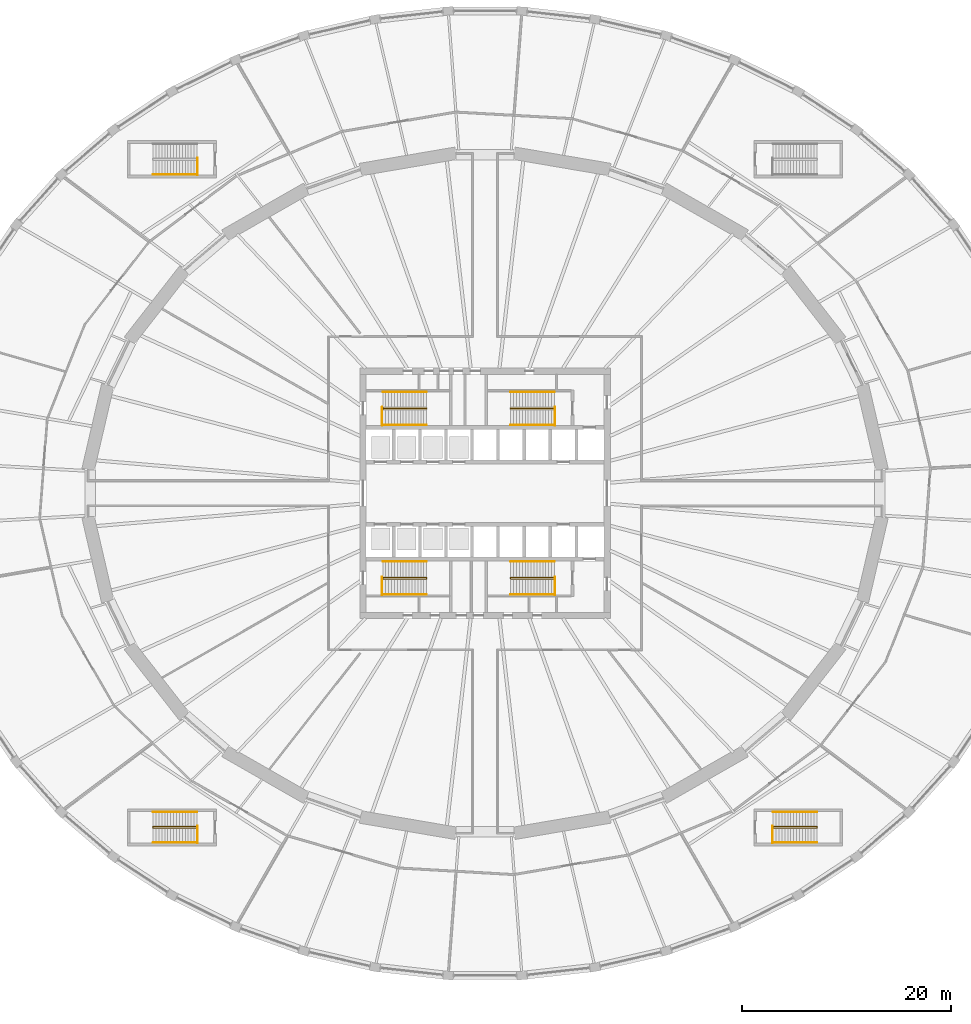
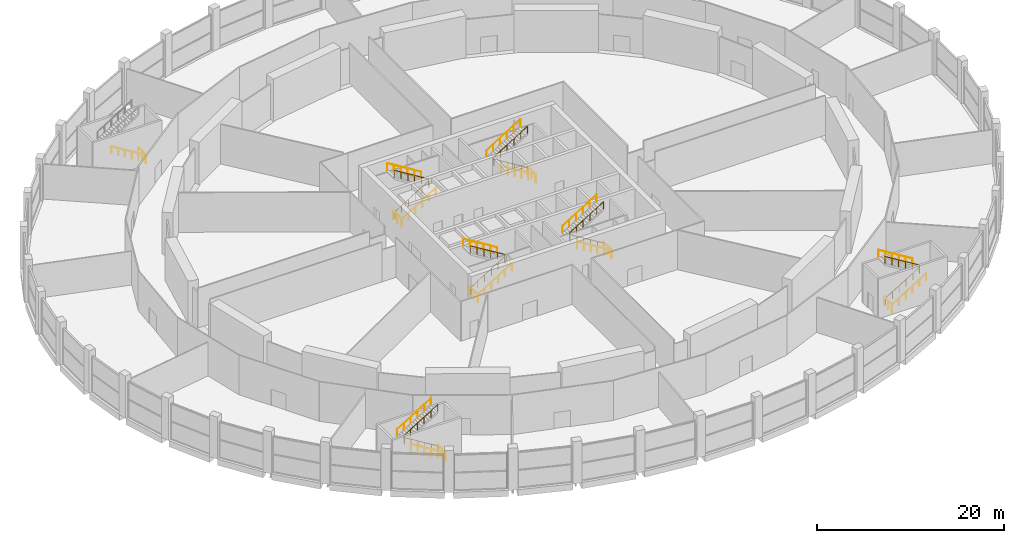
# One storey, part 27 of 29: 26 railings.
"""IFC4 building model written with IfcOpenShell, lengths in metres."""

import ifcopenshell
import ifcopenshell.guid

model = None  # the IFC model being written
_history = None  # IfcOwnerHistory: only IFC2X3 demands one
_inside = {}  # id of a spatial element -> (the spatial element, [elements in it])
_under = {}  # id of a project, library or spatial element -> (it, [spatial elements below it])
_declared = {}  # id of a project -> (the project, [libraries it declares])
_typed = {}  # id of a type object -> (the type object, [elements of that type])
_made_of = {}  # id of a material, layer set ... -> (it, [elements and type objects made of it])


def new_model(schema):
    """Start an empty IFC model of exactly this schema.

    Asked for "IFC4X3", IfcOpenShell would pick the latest addendum, in which some entities
    have other attributes; the version numbers below select the first issue.
    IFC2X3 requires an IfcOwnerHistory on every rooted entity: one is made here for all.
    """
    global model, _history
    if schema == "IFC4X3":
        model = ifcopenshell.file(schema_version=(4, 3, 0, 0))
    else:
        model = ifcopenshell.file(schema=schema)
    _inside.clear()
    _under.clear()
    _declared.clear()
    _typed.clear()
    _made_of.clear()
    _history = None
    if model.schema == "IFC2X3":
        org = make("IfcOrganization", Name="unknown")
        user = make(
            "IfcPersonAndOrganization",
            ThePerson=make("IfcPerson", FamilyName="unknown"),
            TheOrganization=org,
        )
        app = make(
            "IfcApplication",
            ApplicationDeveloper=org,
            Version="unknown",
            ApplicationFullName="unknown",
            ApplicationIdentifier="unknown",
        )
        _history = make(
            "IfcOwnerHistory",
            OwningUser=user,
            OwningApplication=app,
            ChangeAction="ADDED",
            CreationDate=0,
        )
    return model


def make(cls, **values):
    """One entity of the class cls with the attributes given. An attribute that is None is left unset."""
    return model.create_entity(
        cls, **{name: value for name, value in values.items() if value is not None}
    )


def rooted(cls, **values):
    """An entity with a GlobalId (a new one), such as an element, a storey or a relation."""
    return make(cls, GlobalId=ifcopenshell.guid.new(), OwnerHistory=_history, **values)


def si_unit(unit_type, name, prefix=None):
    """IfcSIUnit, for example si_unit("LENGTHUNIT", "METRE", prefix="MILLI")."""
    return make("IfcSIUnit", UnitType=unit_type, Prefix=prefix, Name=name)


def assignment(units):
    """IfcUnitAssignment: the units of a project."""
    return None if units is None else make("IfcUnitAssignment", Units=units)


def point(xyz):
    """IfcCartesianPoint."""
    return None if xyz is None else make("IfcCartesianPoint", Coordinates=xyz)


def direction(xyz):
    """IfcDirection."""
    return None if xyz is None else make("IfcDirection", DirectionRatios=xyz)


def frame(location, z_axis=None, x_axis=None):
    """IfcAxis2Placement3D, a coordinate frame: its origin and axes. An axis left out is left unset."""
    return make(
        "IfcAxis2Placement3D",
        Location=point(location),
        Axis=direction(z_axis),
        RefDirection=direction(x_axis),
    )


def frame_2d(location, x_axis=None):
    """IfcAxis2Placement2D, a coordinate frame in the plane: its origin and x axis."""
    return make(
        "IfcAxis2Placement2D", Location=point(location), RefDirection=direction(x_axis)
    )


def origin():
    """The frame at (0, 0, 0) with its axes left unset."""
    return frame((0.0, 0.0, 0.0))


def origin_2d():
    """The frame at (0, 0) in the plane with its x axis left unset."""
    return frame_2d((0.0, 0.0))


def place(relative_to, where):
    """IfcLocalPlacement: puts the frame where relative to a parent placement (None: the world)."""
    return make(
        "IfcLocalPlacement", PlacementRelTo=relative_to, RelativePlacement=where
    )


def context(
    kind, dimensions, precision=None, world=None, true_north=None, identifier=None
):
    """IfcGeometricRepresentationContext, for example the 3D "Model" context."""
    return make(
        "IfcGeometricRepresentationContext",
        ContextIdentifier=identifier,
        ContextType=kind,
        CoordinateSpaceDimension=dimensions,
        Precision=precision,
        WorldCoordinateSystem=world,
        TrueNorth=true_north,
    )


def subcontext(parent, identifier, kind, view, scale=None):
    """IfcGeometricRepresentationSubContext, for example "Body" below "Model"."""
    return make(
        "IfcGeometricRepresentationSubContext",
        ContextIdentifier=identifier,
        ContextType=kind,
        ParentContext=parent,
        TargetScale=scale,
        TargetView=view,
    )


def project(units=None, contexts=None):
    """IfcProject with its units and contexts."""
    return rooted(
        "IfcProject",
        Name="project",
        RepresentationContexts=contexts,
        UnitsInContext=assignment(units),
    )


def spatial(cls, under=None, at=None, **own):
    """A site, building, storey or space (cls), placed at a placement, below another one or the project."""
    s = rooted(cls, ObjectPlacement=at, **own)
    if under is not None:
        _under.setdefault(under.id(), (under, []))[1].append(s)
    return s


def profile(cls, at=None, kind="AREA", **sizes):
    """A parametric profile (cls). Its sizes go by their IFC names, for example OverallWidth=200.0."""
    return make(cls, ProfileType=kind, Position=at, **sizes)


def circle(**sizes):
    """IfcCircleProfileDef."""
    return profile("IfcCircleProfileDef", **sizes)


def extrude(swept, where, along, depth):
    """IfcExtrudedAreaSolid: the profile swept, set in the frame where, extruded along a direction by depth."""
    return make(
        "IfcExtrudedAreaSolid",
        SweptArea=swept,
        Position=where,
        ExtrudedDirection=direction(along),
        Depth=depth,
    )


def shape(context_of_items, identifier, shape_type, items):
    """IfcShapeRepresentation: the items that make up one representation, for example the "Body"."""
    return make(
        "IfcShapeRepresentation",
        ContextOfItems=context_of_items,
        RepresentationIdentifier=identifier,
        RepresentationType=shape_type,
        Items=items,
    )


def material(Name=None, Category=None):
    """IfcMaterial."""
    return make("IfcMaterial", Name=Name, Category=Category)


def made_of(thing, what):
    """Note that an element or type object is made of a material, layer set ...; save() writes the relation."""
    if what is not None:
        _made_of.setdefault(what.id(), (what, []))[1].append(thing)
    return thing


def type_object(cls, material=None, **own):
    """A type object (cls), such as IfcWallType, which elements share."""
    return made_of(rooted(cls, **own), material)


def element(
    cls,
    number,
    at=None,
    inside=None,
    cuts=None,
    type_object=None,
    material=None,
    context=None,
    identifier="Body",
    shape_type=None,
    held_by="IfcProductDefinitionShape",
    body=None,
    shapes=None,
    **own,
):
    """One element of the class cls, such as IfcWall. Its Tag is "e" and its number.

    at: its placement. inside: the storey or other place that contains it. cuts: it is an
    opening in that element (IfcRelVoidsElement). A single representation is given by context,
    identifier, shape_type and body (its items); several are given by shapes. held_by: the class
    of the entity that holds the representations. save() writes the other relations.
    """
    e = rooted(cls, Tag="e%d" % number, ObjectPlacement=at, **own)
    if body is not None:
        shapes = [shape(context, identifier, shape_type, body)]
    if shapes is not None:
        e.Representation = make(held_by, Representations=shapes)
    if inside is not None:
        _inside.setdefault(inside.id(), (inside, []))[1].append(e)
    if cuts is not None:
        rooted(
            "IfcRelVoidsElement", RelatingBuildingElement=cuts, RelatedOpeningElement=e
        )
    if type_object is not None:
        _typed.setdefault(type_object.id(), (type_object, []))[1].append(e)
    return made_of(e, material)


def aggregate(whole, parts):
    """IfcRelAggregates: a whole, such as a stair, and the parts it consists of."""
    return rooted("IfcRelAggregates", RelatingObject=whole, RelatedObjects=parts)


def save(model, path):
    """Write the relations noted so far, then the file.

    IfcRelAggregates (storeys below a building ...), IfcRelContainedInSpatialStructure (elements
    in a storey), IfcRelDefinesByType, IfcRelAssociatesMaterial and IfcRelDeclares: one each for
    every whole, place, type object, material and project.
    """
    for whole, parts in _under.values():
        aggregate(whole, parts)
    for where, things in _inside.values():
        rooted(
            "IfcRelContainedInSpatialStructure",
            RelatedElements=things,
            RelatingStructure=where,
        )
    for kind, things in _typed.values():
        rooted("IfcRelDefinesByType", RelatedObjects=things, RelatingType=kind)
    for what, things in _made_of.values():
        rooted("IfcRelAssociatesMaterial", RelatedObjects=things, RelatingMaterial=what)
    for by, libraries in _declared.values():
        rooted("IfcRelDeclares", RelatingContext=by, RelatedDefinitions=libraries)
    model.write(path)


model = new_model("IFC4")

# Units and contexts
model_context = context("Model", 3, precision=1e-05, world=origin(), true_north=direction((0.0, 1.0)))
body_context = subcontext(model_context, "Body", "Model", "MODEL_VIEW")
ifc_project = project(units=[si_unit("LENGTHUNIT", "METRE"), si_unit("AREAUNIT", "SQUARE_METRE"), si_unit("VOLUMEUNIT", "CUBIC_METRE"), si_unit("PLANEANGLEUNIT", "RADIAN"), si_unit("MASSUNIT", "GRAM", prefix="KILO")], contexts=[model_context])

# Site, building, storey
site_placement = place(None, origin())
site = spatial("IfcSite", under=ifc_project, at=site_placement, CompositionType="ELEMENT")
building_placement = place(site_placement, origin())
building = spatial("IfcBuilding", under=site, at=building_placement, Name="Halqa Exchange Tower", CompositionType="ELEMENT")
storey_placement = place(building_placement, frame((0.0, 0.0, 7.0)))
storey = spatial("IfcBuildingStorey", under=building, at=storey_placement, Name="L01", CompositionType="ELEMENT", Elevation=7.0)

# Railings
ifc_material = material(Name="Stainless steel", Category="steel")
railing_type_1 = type_object("IfcRailingType", Name="Stair handrail 900", PredefinedType="HANDRAIL", material=ifc_material)
railing_1_placement = place(storey_placement, frame((-9.800048828125, 8.06005859375, 0.171875)))
element("IfcRailing", 1, at=railing_1_placement, inside=storey, type_object=railing_type_1, Name="Handrail ST1.1", PredefinedType="HANDRAIL", context=body_context, shape_type="SweptSolid", body=[
    extrude(circle(Radius=0.02392578125, at=origin_2d()), frame((0.0, 0.0, 0.8759765625), z_axis=(0.852242915053, 0.0, 0.523146264196), x_axis=(0.0, 1.0, 0.0)), (0.0, 0.0, 1.0), 4.92822265625),
    extrude(circle(Radius=0.02392578125, at=origin_2d()), frame((4.199951171875, 0.0, 3.4541015625), z_axis=(0.0, 0.602897214173, 0.797818869883), x_axis=(-1.0, 0.0, 0.0)), (0.0, 0.0, 1.0), 0.21533203125),
    extrude(circle(Radius=0.02392578125, at=origin_2d()), frame((4.199951171875, 0.1298828125, 3.6259765625), z_axis=(-0.852242915053, 0.0, 0.523146264196), x_axis=(0.0, -1.0, 0.0)), (0.0, 0.0, 1.0), 4.92822265625),
    extrude(circle(Radius=0.02099609375, at=origin_2d()), origin(), (0.0, 0.0, 1.0), 0.851806640625),
    extrude(circle(Radius=0.02099609375, at=origin_2d()), frame((0.840087890625, 0.0, 0.515625)), (0.0, 0.0, 1.0), 0.851806640625),
    extrude(circle(Radius=0.02099609375, at=origin_2d()), frame((1.679931640625, 0.0, 1.03125)), (0.0, 0.0, 1.0), 0.851806640625),
    extrude(circle(Radius=0.02099609375, at=origin_2d()), frame((2.52001953125, 0.0, 1.546875)), (0.0, 0.0, 1.0), 0.851806640625),
    extrude(circle(Radius=0.02099609375, at=origin_2d()), frame((3.35986328125, 0.0, 2.0625)), (0.0, 0.0, 1.0), 0.851806640625),
    extrude(circle(Radius=0.02099609375, at=origin_2d()), frame((4.199951171875, 0.0, 2.578125)), (0.0, 0.0, 1.0), 0.851806640625),
    extrude(circle(Radius=0.02099609375, at=origin_2d()), frame((4.199951171875, 0.1298828125, 2.75)), (0.0, 0.0, 1.0), 0.851806640625),
    extrude(circle(Radius=0.02099609375, at=origin_2d()), frame((3.35986328125, 0.1298828125, 3.265625)), (0.0, 0.0, 1.0), 0.851806640625),
    extrude(circle(Radius=0.02099609375, at=origin_2d()), frame((2.52001953125, 0.1298828125, 3.78125)), (0.0, 0.0, 1.0), 0.851806640625),
    extrude(circle(Radius=0.02099609375, at=origin_2d()), frame((1.679931640625, 0.1298828125, 4.296875)), (0.0, 0.0, 1.0), 0.851806640625),
    extrude(circle(Radius=0.02099609375, at=origin_2d()), frame((0.840087890625, 0.1298828125, 4.8125)), (0.0, 0.0, 1.0), 0.851806640625),
    extrude(circle(Radius=0.02099609375, at=origin_2d()), frame((0.0, 0.1298828125, 5.328125)), (0.0, 0.0, 1.0), 0.851806640625),
])
railing_2_placement = place(storey_placement, frame((-9.800048828125, 6.550048828125, 0.171875)))
element("IfcRailing", 2, at=railing_2_placement, inside=storey, type_object=railing_type_1, Name="Handrail ST1.2", PredefinedType="HANDRAIL", context=body_context, shape_type="SweptSolid", body=[
    extrude(circle(Radius=0.02392578125, at=origin_2d()), frame((0.0, 0.0, 0.8759765625), z_axis=(0.852242915053, 0.0, 0.523146264196), x_axis=(0.0, 1.0, 0.0)), (0.0, 0.0, 1.0), 4.92822265625),
    extrude(circle(Radius=0.02099609375, at=origin_2d()), origin(), (0.0, 0.0, 1.0), 0.851806640625),
    extrude(circle(Radius=0.02099609375, at=origin_2d()), frame((0.840087890625, 0.0, 0.515625)), (0.0, 0.0, 1.0), 0.851806640625),
    extrude(circle(Radius=0.02099609375, at=origin_2d()), frame((1.679931640625, 0.0, 1.03125)), (0.0, 0.0, 1.0), 0.851806640625),
    extrude(circle(Radius=0.02099609375, at=origin_2d()), frame((2.52001953125, 0.0, 1.546875)), (0.0, 0.0, 1.0), 0.851806640625),
    extrude(circle(Radius=0.02099609375, at=origin_2d()), frame((3.35986328125, 0.0, 2.0625)), (0.0, 0.0, 1.0), 0.851806640625),
    extrude(circle(Radius=0.02099609375, at=origin_2d()), frame((4.199951171875, 0.0, 2.578125)), (0.0, 0.0, 1.0), 0.851806640625),
])
railing_3_placement = place(storey_placement, frame((-5.60009765625, 9.699951171875, 2.921875)))
element("IfcRailing", 3, at=railing_3_placement, inside=storey, type_object=railing_type_1, Name="Handrail ST1.3", PredefinedType="HANDRAIL", context=body_context, shape_type="SweptSolid", body=[
    extrude(circle(Radius=0.02392578125, at=origin_2d()), frame((0.0, 0.0, 0.8759765625), z_axis=(-0.852242915053, 0.0, 0.523146264196), x_axis=(0.0, -1.0, 0.0)), (0.0, 0.0, 1.0), 4.92822265625),
    extrude(circle(Radius=0.02099609375, at=origin_2d()), origin(), (0.0, 0.0, 1.0), 0.851806640625),
    extrude(circle(Radius=0.02099609375, at=origin_2d()), frame((-0.840087890625, 0.0, 0.515625)), (0.0, 0.0, 1.0), 0.851806640625),
    extrude(circle(Radius=0.02099609375, at=origin_2d()), frame((-1.679931640625, 0.0, 1.03125)), (0.0, 0.0, 1.0), 0.851806640625),
    extrude(circle(Radius=0.02099609375, at=origin_2d()), frame((-2.52001953125, 0.0, 1.546875)), (0.0, 0.0, 1.0), 0.851806640625),
    extrude(circle(Radius=0.02099609375, at=origin_2d()), frame((-3.35986328125, 0.0, 2.0625)), (0.0, 0.0, 1.0), 0.851806640625),
    extrude(circle(Radius=0.02099609375, at=origin_2d()), frame((-4.199951171875, 0.0, 2.578125)), (0.0, 0.0, 1.0), 0.851806640625),
])
railing_4_placement = place(storey_placement, frame((6.64990234375, 8.06005859375, 0.171875)))
element("IfcRailing", 4, at=railing_4_placement, inside=storey, type_object=railing_type_1, Name="Handrail ST2.1", PredefinedType="HANDRAIL", context=body_context, shape_type="SweptSolid", body=[
    extrude(circle(Radius=0.02392578125, at=origin_2d()), frame((0.0, 0.0, 0.8759765625), z_axis=(-0.852242915053, 0.0, 0.523146264196), x_axis=(0.0, -1.0, 0.0)), (0.0, 0.0, 1.0), 4.92822265625),
    extrude(circle(Radius=0.02392578125, at=origin_2d()), frame((-4.199951171875, 0.0, 3.4541015625), z_axis=(0.0, 0.602897214173, 0.797818869883), x_axis=(-1.0, 0.0, 0.0)), (0.0, 0.0, 1.0), 0.21533203125),
    extrude(circle(Radius=0.02392578125, at=origin_2d()), frame((-4.199951171875, 0.1298828125, 3.6259765625), z_axis=(0.852242915053, 0.0, 0.523146264196), x_axis=(0.0, 1.0, 0.0)), (0.0, 0.0, 1.0), 4.92822265625),
    extrude(circle(Radius=0.02099609375, at=origin_2d()), origin(), (0.0, 0.0, 1.0), 0.851806640625),
    extrude(circle(Radius=0.02099609375, at=origin_2d()), frame((-0.840087890625, 0.0, 0.515625)), (0.0, 0.0, 1.0), 0.851806640625),
    extrude(circle(Radius=0.02099609375, at=origin_2d()), frame((-1.679931640625, 0.0, 1.03125)), (0.0, 0.0, 1.0), 0.851806640625),
    extrude(circle(Radius=0.02099609375, at=origin_2d()), frame((-2.52001953125, 0.0, 1.546875)), (0.0, 0.0, 1.0), 0.851806640625),
    extrude(circle(Radius=0.02099609375, at=origin_2d()), frame((-3.35986328125, 0.0, 2.0625)), (0.0, 0.0, 1.0), 0.851806640625),
    extrude(circle(Radius=0.02099609375, at=origin_2d()), frame((-4.199951171875, 0.0, 2.578125)), (0.0, 0.0, 1.0), 0.851806640625),
    extrude(circle(Radius=0.02099609375, at=origin_2d()), frame((-4.199951171875, 0.1298828125, 2.75)), (0.0, 0.0, 1.0), 0.851806640625),
    extrude(circle(Radius=0.02099609375, at=origin_2d()), frame((-3.35986328125, 0.1298828125, 3.265625)), (0.0, 0.0, 1.0), 0.851806640625),
    extrude(circle(Radius=0.02099609375, at=origin_2d()), frame((-2.52001953125, 0.1298828125, 3.78125)), (0.0, 0.0, 1.0), 0.851806640625),
    extrude(circle(Radius=0.02099609375, at=origin_2d()), frame((-1.679931640625, 0.1298828125, 4.296875)), (0.0, 0.0, 1.0), 0.851806640625),
    extrude(circle(Radius=0.02099609375, at=origin_2d()), frame((-0.840087890625, 0.1298828125, 4.8125)), (0.0, 0.0, 1.0), 0.851806640625),
    extrude(circle(Radius=0.02099609375, at=origin_2d()), frame((0.0, 0.1298828125, 5.328125)), (0.0, 0.0, 1.0), 0.851806640625),
])
railing_5_placement = place(storey_placement, frame((6.64990234375, 6.550048828125, 0.171875)))
element("IfcRailing", 5, at=railing_5_placement, inside=storey, type_object=railing_type_1, Name="Handrail ST2.2", PredefinedType="HANDRAIL", context=body_context, shape_type="SweptSolid", body=[
    extrude(circle(Radius=0.02392578125, at=origin_2d()), frame((0.0, 0.0, 0.8759765625), z_axis=(-0.852242915053, 0.0, 0.523146264196), x_axis=(0.0, -1.0, 0.0)), (0.0, 0.0, 1.0), 4.92822265625),
    extrude(circle(Radius=0.02099609375, at=origin_2d()), origin(), (0.0, 0.0, 1.0), 0.851806640625),
    extrude(circle(Radius=0.02099609375, at=origin_2d()), frame((-0.840087890625, 0.0, 0.515625)), (0.0, 0.0, 1.0), 0.851806640625),
    extrude(circle(Radius=0.02099609375, at=origin_2d()), frame((-1.679931640625, 0.0, 1.03125)), (0.0, 0.0, 1.0), 0.851806640625),
    extrude(circle(Radius=0.02099609375, at=origin_2d()), frame((-2.52001953125, 0.0, 1.546875)), (0.0, 0.0, 1.0), 0.851806640625),
    extrude(circle(Radius=0.02099609375, at=origin_2d()), frame((-3.35986328125, 0.0, 2.0625)), (0.0, 0.0, 1.0), 0.851806640625),
    extrude(circle(Radius=0.02099609375, at=origin_2d()), frame((-4.199951171875, 0.0, 2.578125)), (0.0, 0.0, 1.0), 0.851806640625),
])
railing_6_placement = place(storey_placement, frame((2.449951171875, 9.699951171875, 2.921875)))
element("IfcRailing", 6, at=railing_6_placement, inside=storey, type_object=railing_type_1, Name="Handrail ST2.3", PredefinedType="HANDRAIL", context=body_context, shape_type="SweptSolid", body=[
    extrude(circle(Radius=0.02392578125, at=origin_2d()), frame((0.0, 0.0, 0.8759765625), z_axis=(0.852242915053, 0.0, 0.523146264196), x_axis=(0.0, 1.0, 0.0)), (0.0, 0.0, 1.0), 4.92822265625),
    extrude(circle(Radius=0.02099609375, at=origin_2d()), origin(), (0.0, 0.0, 1.0), 0.851806640625),
    extrude(circle(Radius=0.02099609375, at=origin_2d()), frame((0.840087890625, 0.0, 0.515625)), (0.0, 0.0, 1.0), 0.851806640625),
    extrude(circle(Radius=0.02099609375, at=origin_2d()), frame((1.679931640625, 0.0, 1.03125)), (0.0, 0.0, 1.0), 0.851806640625),
    extrude(circle(Radius=0.02099609375, at=origin_2d()), frame((2.52001953125, 0.0, 1.546875)), (0.0, 0.0, 1.0), 0.851806640625),
    extrude(circle(Radius=0.02099609375, at=origin_2d()), frame((3.35986328125, 0.0, 2.0625)), (0.0, 0.0, 1.0), 0.851806640625),
    extrude(circle(Radius=0.02099609375, at=origin_2d()), frame((4.199951171875, 0.0, 2.578125)), (0.0, 0.0, 1.0), 0.851806640625),
])
railing_7_placement = place(storey_placement, frame((-9.800048828125, -8.18994140625, 0.171875)))
element("IfcRailing", 7, at=railing_7_placement, inside=storey, type_object=railing_type_1, Name="Handrail ST3.1", PredefinedType="HANDRAIL", context=body_context, shape_type="SweptSolid", body=[
    extrude(circle(Radius=0.02392578125, at=origin_2d()), frame((0.0, 0.0, 0.8759765625), z_axis=(0.852242915053, 0.0, 0.523146264196), x_axis=(0.0, 1.0, 0.0)), (0.0, 0.0, 1.0), 4.92822265625),
    extrude(circle(Radius=0.02392578125, at=origin_2d()), frame((4.199951171875, 0.0, 3.4541015625), z_axis=(0.0, 0.602897214173, 0.797818869883), x_axis=(-1.0, 0.0, 0.0)), (0.0, 0.0, 1.0), 0.21533203125),
    extrude(circle(Radius=0.02392578125, at=origin_2d()), frame((4.199951171875, 0.1298828125, 3.6259765625), z_axis=(-0.852242915053, 0.0, 0.523146264196), x_axis=(0.0, -1.0, 0.0)), (0.0, 0.0, 1.0), 4.92822265625),
    extrude(circle(Radius=0.02099609375, at=origin_2d()), origin(), (0.0, 0.0, 1.0), 0.851806640625),
    extrude(circle(Radius=0.02099609375, at=origin_2d()), frame((0.840087890625, 0.0, 0.515625)), (0.0, 0.0, 1.0), 0.851806640625),
    extrude(circle(Radius=0.02099609375, at=origin_2d()), frame((1.679931640625, 0.0, 1.03125)), (0.0, 0.0, 1.0), 0.851806640625),
    extrude(circle(Radius=0.02099609375, at=origin_2d()), frame((2.52001953125, 0.0, 1.546875)), (0.0, 0.0, 1.0), 0.851806640625),
    extrude(circle(Radius=0.02099609375, at=origin_2d()), frame((3.35986328125, 0.0, 2.0625)), (0.0, 0.0, 1.0), 0.851806640625),
    extrude(circle(Radius=0.02099609375, at=origin_2d()), frame((4.199951171875, 0.0, 2.578125)), (0.0, 0.0, 1.0), 0.851806640625),
    extrude(circle(Radius=0.02099609375, at=origin_2d()), frame((4.199951171875, 0.1298828125, 2.75)), (0.0, 0.0, 1.0), 0.851806640625),
    extrude(circle(Radius=0.02099609375, at=origin_2d()), frame((3.35986328125, 0.1298828125, 3.265625)), (0.0, 0.0, 1.0), 0.851806640625),
    extrude(circle(Radius=0.02099609375, at=origin_2d()), frame((2.52001953125, 0.1298828125, 3.78125)), (0.0, 0.0, 1.0), 0.851806640625),
    extrude(circle(Radius=0.02099609375, at=origin_2d()), frame((1.679931640625, 0.1298828125, 4.296875)), (0.0, 0.0, 1.0), 0.851806640625),
    extrude(circle(Radius=0.02099609375, at=origin_2d()), frame((0.840087890625, 0.1298828125, 4.8125)), (0.0, 0.0, 1.0), 0.851806640625),
    extrude(circle(Radius=0.02099609375, at=origin_2d()), frame((0.0, 0.1298828125, 5.328125)), (0.0, 0.0, 1.0), 0.851806640625),
])
railing_8_placement = place(storey_placement, frame((-9.800048828125, -9.699951171875, 0.171875)))
element("IfcRailing", 8, at=railing_8_placement, inside=storey, type_object=railing_type_1, Name="Handrail ST3.2", PredefinedType="HANDRAIL", context=body_context, shape_type="SweptSolid", body=[
    extrude(circle(Radius=0.02392578125, at=origin_2d()), frame((0.0, 0.0, 0.8759765625), z_axis=(0.852242915053, 0.0, 0.523146264196), x_axis=(0.0, 1.0, 0.0)), (0.0, 0.0, 1.0), 4.92822265625),
    extrude(circle(Radius=0.02099609375, at=origin_2d()), origin(), (0.0, 0.0, 1.0), 0.851806640625),
    extrude(circle(Radius=0.02099609375, at=origin_2d()), frame((0.840087890625, 0.0, 0.515625)), (0.0, 0.0, 1.0), 0.851806640625),
    extrude(circle(Radius=0.02099609375, at=origin_2d()), frame((1.679931640625, 0.0, 1.03125)), (0.0, 0.0, 1.0), 0.851806640625),
    extrude(circle(Radius=0.02099609375, at=origin_2d()), frame((2.52001953125, 0.0, 1.546875)), (0.0, 0.0, 1.0), 0.851806640625),
    extrude(circle(Radius=0.02099609375, at=origin_2d()), frame((3.35986328125, 0.0, 2.0625)), (0.0, 0.0, 1.0), 0.851806640625),
    extrude(circle(Radius=0.02099609375, at=origin_2d()), frame((4.199951171875, 0.0, 2.578125)), (0.0, 0.0, 1.0), 0.851806640625),
])
railing_9_placement = place(storey_placement, frame((-5.60009765625, -6.550048828125, 2.921875)))
element("IfcRailing", 9, at=railing_9_placement, inside=storey, type_object=railing_type_1, Name="Handrail ST3.3", PredefinedType="HANDRAIL", context=body_context, shape_type="SweptSolid", body=[
    extrude(circle(Radius=0.02392578125, at=origin_2d()), frame((0.0, 0.0, 0.8759765625), z_axis=(-0.852242915053, 0.0, 0.523146264196), x_axis=(0.0, -1.0, 0.0)), (0.0, 0.0, 1.0), 4.92822265625),
    extrude(circle(Radius=0.02099609375, at=origin_2d()), origin(), (0.0, 0.0, 1.0), 0.851806640625),
    extrude(circle(Radius=0.02099609375, at=origin_2d()), frame((-0.840087890625, 0.0, 0.515625)), (0.0, 0.0, 1.0), 0.851806640625),
    extrude(circle(Radius=0.02099609375, at=origin_2d()), frame((-1.679931640625, 0.0, 1.03125)), (0.0, 0.0, 1.0), 0.851806640625),
    extrude(circle(Radius=0.02099609375, at=origin_2d()), frame((-2.52001953125, 0.0, 1.546875)), (0.0, 0.0, 1.0), 0.851806640625),
    extrude(circle(Radius=0.02099609375, at=origin_2d()), frame((-3.35986328125, 0.0, 2.0625)), (0.0, 0.0, 1.0), 0.851806640625),
    extrude(circle(Radius=0.02099609375, at=origin_2d()), frame((-4.199951171875, 0.0, 2.578125)), (0.0, 0.0, 1.0), 0.851806640625),
])
railing_10_placement = place(storey_placement, frame((6.64990234375, -8.18994140625, 0.171875)))
element("IfcRailing", 10, at=railing_10_placement, inside=storey, type_object=railing_type_1, Name="Handrail ST4.1", PredefinedType="HANDRAIL", context=body_context, shape_type="SweptSolid", body=[
    extrude(circle(Radius=0.02392578125, at=origin_2d()), frame((0.0, 0.0, 0.8759765625), z_axis=(-0.852242915053, 0.0, 0.523146264196), x_axis=(0.0, -1.0, 0.0)), (0.0, 0.0, 1.0), 4.92822265625),
    extrude(circle(Radius=0.02392578125, at=origin_2d()), frame((-4.199951171875, 0.0, 3.4541015625), z_axis=(0.0, 0.602897214173, 0.797818869883), x_axis=(-1.0, 0.0, 0.0)), (0.0, 0.0, 1.0), 0.21533203125),
    extrude(circle(Radius=0.02392578125, at=origin_2d()), frame((-4.199951171875, 0.1298828125, 3.6259765625), z_axis=(0.852242915053, 0.0, 0.523146264196), x_axis=(0.0, 1.0, 0.0)), (0.0, 0.0, 1.0), 4.92822265625),
    extrude(circle(Radius=0.02099609375, at=origin_2d()), origin(), (0.0, 0.0, 1.0), 0.851806640625),
    extrude(circle(Radius=0.02099609375, at=origin_2d()), frame((-0.840087890625, 0.0, 0.515625)), (0.0, 0.0, 1.0), 0.851806640625),
    extrude(circle(Radius=0.02099609375, at=origin_2d()), frame((-1.679931640625, 0.0, 1.03125)), (0.0, 0.0, 1.0), 0.851806640625),
    extrude(circle(Radius=0.02099609375, at=origin_2d()), frame((-2.52001953125, 0.0, 1.546875)), (0.0, 0.0, 1.0), 0.851806640625),
    extrude(circle(Radius=0.02099609375, at=origin_2d()), frame((-3.35986328125, 0.0, 2.0625)), (0.0, 0.0, 1.0), 0.851806640625),
    extrude(circle(Radius=0.02099609375, at=origin_2d()), frame((-4.199951171875, 0.0, 2.578125)), (0.0, 0.0, 1.0), 0.851806640625),
    extrude(circle(Radius=0.02099609375, at=origin_2d()), frame((-4.199951171875, 0.1298828125, 2.75)), (0.0, 0.0, 1.0), 0.851806640625),
    extrude(circle(Radius=0.02099609375, at=origin_2d()), frame((-3.35986328125, 0.1298828125, 3.265625)), (0.0, 0.0, 1.0), 0.851806640625),
    extrude(circle(Radius=0.02099609375, at=origin_2d()), frame((-2.52001953125, 0.1298828125, 3.78125)), (0.0, 0.0, 1.0), 0.851806640625),
    extrude(circle(Radius=0.02099609375, at=origin_2d()), frame((-1.679931640625, 0.1298828125, 4.296875)), (0.0, 0.0, 1.0), 0.851806640625),
    extrude(circle(Radius=0.02099609375, at=origin_2d()), frame((-0.840087890625, 0.1298828125, 4.8125)), (0.0, 0.0, 1.0), 0.851806640625),
    extrude(circle(Radius=0.02099609375, at=origin_2d()), frame((0.0, 0.1298828125, 5.328125)), (0.0, 0.0, 1.0), 0.851806640625),
])
railing_11_placement = place(storey_placement, frame((6.64990234375, -9.699951171875, 0.171875)))
element("IfcRailing", 11, at=railing_11_placement, inside=storey, type_object=railing_type_1, Name="Handrail ST4.2", PredefinedType="HANDRAIL", context=body_context, shape_type="SweptSolid", body=[
    extrude(circle(Radius=0.02392578125, at=origin_2d()), frame((0.0, 0.0, 0.8759765625), z_axis=(-0.852242915053, 0.0, 0.523146264196), x_axis=(0.0, -1.0, 0.0)), (0.0, 0.0, 1.0), 4.92822265625),
    extrude(circle(Radius=0.02099609375, at=origin_2d()), origin(), (0.0, 0.0, 1.0), 0.851806640625),
    extrude(circle(Radius=0.02099609375, at=origin_2d()), frame((-0.840087890625, 0.0, 0.515625)), (0.0, 0.0, 1.0), 0.851806640625),
    extrude(circle(Radius=0.02099609375, at=origin_2d()), frame((-1.679931640625, 0.0, 1.03125)), (0.0, 0.0, 1.0), 0.851806640625),
    extrude(circle(Radius=0.02099609375, at=origin_2d()), frame((-2.52001953125, 0.0, 1.546875)), (0.0, 0.0, 1.0), 0.851806640625),
    extrude(circle(Radius=0.02099609375, at=origin_2d()), frame((-3.35986328125, 0.0, 2.0625)), (0.0, 0.0, 1.0), 0.851806640625),
    extrude(circle(Radius=0.02099609375, at=origin_2d()), frame((-4.199951171875, 0.0, 2.578125)), (0.0, 0.0, 1.0), 0.851806640625),
])
railing_12_placement = place(storey_placement, frame((2.449951171875, -6.550048828125, 2.921875)))
element("IfcRailing", 12, at=railing_12_placement, inside=storey, type_object=railing_type_1, Name="Handrail ST4.3", PredefinedType="HANDRAIL", context=body_context, shape_type="SweptSolid", body=[
    extrude(circle(Radius=0.02392578125, at=origin_2d()), frame((0.0, 0.0, 0.8759765625), z_axis=(0.852242915053, 0.0, 0.523146264196), x_axis=(0.0, 1.0, 0.0)), (0.0, 0.0, 1.0), 4.92822265625),
    extrude(circle(Radius=0.02099609375, at=origin_2d()), origin(), (0.0, 0.0, 1.0), 0.851806640625),
    extrude(circle(Radius=0.02099609375, at=origin_2d()), frame((0.840087890625, 0.0, 0.515625)), (0.0, 0.0, 1.0), 0.851806640625),
    extrude(circle(Radius=0.02099609375, at=origin_2d()), frame((1.679931640625, 0.0, 1.03125)), (0.0, 0.0, 1.0), 0.851806640625),
    extrude(circle(Radius=0.02099609375, at=origin_2d()), frame((2.52001953125, 0.0, 1.546875)), (0.0, 0.0, 1.0), 0.851806640625),
    extrude(circle(Radius=0.02099609375, at=origin_2d()), frame((3.35986328125, 0.0, 2.0625)), (0.0, 0.0, 1.0), 0.851806640625),
    extrude(circle(Radius=0.02099609375, at=origin_2d()), frame((4.199951171875, 0.0, 2.578125)), (0.0, 0.0, 1.0), 0.851806640625),
])
railing_13_placement = place(storey_placement, frame((27.60009765625, -32.06494140625, 0.171875)))
element("IfcRailing", 13, at=railing_13_placement, inside=storey, type_object=railing_type_1, Name="Handrail PS2.1", PredefinedType="HANDRAIL", context=body_context, shape_type="SweptSolid", body=[
    extrude(circle(Radius=0.02392578125, at=origin_2d()), frame((0.0, 0.0, 0.8759765625), z_axis=(0.852242915053, 0.0, 0.523146264196), x_axis=(0.0, 1.0, 0.0)), (0.0, 0.0, 1.0), 4.92822265625),
    extrude(circle(Radius=0.02392578125, at=origin_2d()), frame((4.199951171875, 0.0, 3.4541015625), z_axis=(0.0, 0.602897214173, 0.797818869883), x_axis=(-1.0, 0.0, 0.0)), (0.0, 0.0, 1.0), 0.21533203125),
    extrude(circle(Radius=0.02392578125, at=origin_2d()), frame((4.199951171875, 0.1298828125, 3.6259765625), z_axis=(-0.852242915053, 0.0, 0.523146264196), x_axis=(0.0, -1.0, 0.0)), (0.0, 0.0, 1.0), 4.92822265625),
    extrude(circle(Radius=0.02099609375, at=origin_2d()), origin(), (0.0, 0.0, 1.0), 0.851806640625),
    extrude(circle(Radius=0.02099609375, at=origin_2d()), frame((0.840087890625, 0.0, 0.515625)), (0.0, 0.0, 1.0), 0.851806640625),
    extrude(circle(Radius=0.02099609375, at=origin_2d()), frame((1.679931640625, 0.0, 1.03125)), (0.0, 0.0, 1.0), 0.851806640625),
    extrude(circle(Radius=0.02099609375, at=origin_2d()), frame((2.52001953125, 0.0, 1.546875)), (0.0, 0.0, 1.0), 0.851806640625),
    extrude(circle(Radius=0.02099609375, at=origin_2d()), frame((3.35986328125, 0.0, 2.0625)), (0.0, 0.0, 1.0), 0.851806640625),
    extrude(circle(Radius=0.02099609375, at=origin_2d()), frame((4.199951171875, 0.0, 2.578125)), (0.0, 0.0, 1.0), 0.851806640625),
    extrude(circle(Radius=0.02099609375, at=origin_2d()), frame((4.199951171875, 0.1298828125, 2.75)), (0.0, 0.0, 1.0), 0.851806640625),
    extrude(circle(Radius=0.02099609375, at=origin_2d()), frame((3.35986328125, 0.1298828125, 3.265625)), (0.0, 0.0, 1.0), 0.851806640625),
    extrude(circle(Radius=0.02099609375, at=origin_2d()), frame((2.52001953125, 0.1298828125, 3.78125)), (0.0, 0.0, 1.0), 0.851806640625),
    extrude(circle(Radius=0.02099609375, at=origin_2d()), frame((1.679931640625, 0.1298828125, 4.296875)), (0.0, 0.0, 1.0), 0.851806640625),
    extrude(circle(Radius=0.02099609375, at=origin_2d()), frame((0.840087890625, 0.1298828125, 4.8125)), (0.0, 0.0, 1.0), 0.851806640625),
    extrude(circle(Radius=0.02099609375, at=origin_2d()), frame((0.0, 0.1298828125, 5.328125)), (0.0, 0.0, 1.0), 0.851806640625),
])
railing_14_placement = place(storey_placement, frame((27.60009765625, -33.47509765625, 0.171875)))
element("IfcRailing", 14, at=railing_14_placement, inside=storey, type_object=railing_type_1, Name="Handrail PS2.2", PredefinedType="HANDRAIL", context=body_context, shape_type="SweptSolid", body=[
    extrude(circle(Radius=0.02392578125, at=origin_2d()), frame((0.0, 0.0, 0.8759765625), z_axis=(0.852242915053, 0.0, 0.523146264196), x_axis=(0.0, 1.0, 0.0)), (0.0, 0.0, 1.0), 4.92822265625),
    extrude(circle(Radius=0.02099609375, at=origin_2d()), origin(), (0.0, 0.0, 1.0), 0.851806640625),
    extrude(circle(Radius=0.02099609375, at=origin_2d()), frame((0.840087890625, 0.0, 0.515625)), (0.0, 0.0, 1.0), 0.851806640625),
    extrude(circle(Radius=0.02099609375, at=origin_2d()), frame((1.679931640625, 0.0, 1.03125)), (0.0, 0.0, 1.0), 0.851806640625),
    extrude(circle(Radius=0.02099609375, at=origin_2d()), frame((2.52001953125, 0.0, 1.546875)), (0.0, 0.0, 1.0), 0.851806640625),
    extrude(circle(Radius=0.02099609375, at=origin_2d()), frame((3.35986328125, 0.0, 2.0625)), (0.0, 0.0, 1.0), 0.851806640625),
    extrude(circle(Radius=0.02099609375, at=origin_2d()), frame((4.199951171875, 0.0, 2.578125)), (0.0, 0.0, 1.0), 0.851806640625),
])
for number, where, name in (
    (15, (31.800048828125, -30.52490234375, 2.921875), "Handrail PS2.3"),
    (16, (-27.60009765625, 30.52490234375, 0.171875), "Handrail PS3.2"),
):
    element("IfcRailing", number, at=place(storey_placement, frame(where)), inside=storey, type_object=railing_type_1, Name=name, PredefinedType="HANDRAIL", context=body_context, shape_type="SweptSolid", body=[
        extrude(circle(Radius=0.02392578125, at=origin_2d()), frame((0.0, 0.0, 0.8759765625), z_axis=(-0.852242915053, 0.0, 0.523146264196), x_axis=(0.0, -1.0, 0.0)), (0.0, 0.0, 1.0), 4.92822265625),
        extrude(circle(Radius=0.02099609375, at=origin_2d()), origin(), (0.0, 0.0, 1.0), 0.851806640625),
        extrude(circle(Radius=0.02099609375, at=origin_2d()), frame((-0.840087890625, 0.0, 0.515625)), (0.0, 0.0, 1.0), 0.851806640625),
        extrude(circle(Radius=0.02099609375, at=origin_2d()), frame((-1.679931640625, 0.0, 1.03125)), (0.0, 0.0, 1.0), 0.851806640625),
        extrude(circle(Radius=0.02099609375, at=origin_2d()), frame((-2.52001953125, 0.0, 1.546875)), (0.0, 0.0, 1.0), 0.851806640625),
        extrude(circle(Radius=0.02099609375, at=origin_2d()), frame((-3.35986328125, 0.0, 2.0625)), (0.0, 0.0, 1.0), 0.851806640625),
        extrude(circle(Radius=0.02099609375, at=origin_2d()), frame((-4.199951171875, 0.0, 2.578125)), (0.0, 0.0, 1.0), 0.851806640625),
    ])
railing_15_placement = place(storey_placement, frame((-27.60009765625, -32.06494140625, 0.171875)))
element("IfcRailing", 17, at=railing_15_placement, inside=storey, type_object=railing_type_1, Name="Handrail PS4.1", PredefinedType="HANDRAIL", context=body_context, shape_type="SweptSolid", body=[
    extrude(circle(Radius=0.02392578125, at=origin_2d()), frame((0.0, 0.0, 0.8759765625), z_axis=(-0.852242915053, 0.0, 0.523146264196), x_axis=(0.0, -1.0, 0.0)), (0.0, 0.0, 1.0), 4.92822265625),
    extrude(circle(Radius=0.02392578125, at=origin_2d()), frame((-4.199951171875, 0.0, 3.4541015625), z_axis=(0.0, 0.602897214173, 0.797818869883), x_axis=(-1.0, 0.0, 0.0)), (0.0, 0.0, 1.0), 0.21533203125),
    extrude(circle(Radius=0.02392578125, at=origin_2d()), frame((-4.199951171875, 0.1298828125, 3.6259765625), z_axis=(0.852242915053, 0.0, 0.523146264196), x_axis=(0.0, 1.0, 0.0)), (0.0, 0.0, 1.0), 4.92822265625),
    extrude(circle(Radius=0.02099609375, at=origin_2d()), origin(), (0.0, 0.0, 1.0), 0.851806640625),
    extrude(circle(Radius=0.02099609375, at=origin_2d()), frame((-0.840087890625, 0.0, 0.515625)), (0.0, 0.0, 1.0), 0.851806640625),
    extrude(circle(Radius=0.02099609375, at=origin_2d()), frame((-1.679931640625, 0.0, 1.03125)), (0.0, 0.0, 1.0), 0.851806640625),
    extrude(circle(Radius=0.02099609375, at=origin_2d()), frame((-2.52001953125, 0.0, 1.546875)), (0.0, 0.0, 1.0), 0.851806640625),
    extrude(circle(Radius=0.02099609375, at=origin_2d()), frame((-3.35986328125, 0.0, 2.0625)), (0.0, 0.0, 1.0), 0.851806640625),
    extrude(circle(Radius=0.02099609375, at=origin_2d()), frame((-4.199951171875, 0.0, 2.578125)), (0.0, 0.0, 1.0), 0.851806640625),
    extrude(circle(Radius=0.02099609375, at=origin_2d()), frame((-4.199951171875, 0.1298828125, 2.75)), (0.0, 0.0, 1.0), 0.851806640625),
    extrude(circle(Radius=0.02099609375, at=origin_2d()), frame((-3.35986328125, 0.1298828125, 3.265625)), (0.0, 0.0, 1.0), 0.851806640625),
    extrude(circle(Radius=0.02099609375, at=origin_2d()), frame((-2.52001953125, 0.1298828125, 3.78125)), (0.0, 0.0, 1.0), 0.851806640625),
    extrude(circle(Radius=0.02099609375, at=origin_2d()), frame((-1.679931640625, 0.1298828125, 4.296875)), (0.0, 0.0, 1.0), 0.851806640625),
    extrude(circle(Radius=0.02099609375, at=origin_2d()), frame((-0.840087890625, 0.1298828125, 4.8125)), (0.0, 0.0, 1.0), 0.851806640625),
    extrude(circle(Radius=0.02099609375, at=origin_2d()), frame((0.0, 0.1298828125, 5.328125)), (0.0, 0.0, 1.0), 0.851806640625),
])
railing_16_placement = place(storey_placement, frame((-27.60009765625, -33.47509765625, 0.171875)))
element("IfcRailing", 18, at=railing_16_placement, inside=storey, type_object=railing_type_1, Name="Handrail PS4.2", PredefinedType="HANDRAIL", context=body_context, shape_type="SweptSolid", body=[
    extrude(circle(Radius=0.02392578125, at=origin_2d()), frame((0.0, 0.0, 0.8759765625), z_axis=(-0.852242915053, 0.0, 0.523146264196), x_axis=(0.0, -1.0, 0.0)), (0.0, 0.0, 1.0), 4.92822265625),
    extrude(circle(Radius=0.02099609375, at=origin_2d()), origin(), (0.0, 0.0, 1.0), 0.851806640625),
    extrude(circle(Radius=0.02099609375, at=origin_2d()), frame((-0.840087890625, 0.0, 0.515625)), (0.0, 0.0, 1.0), 0.851806640625),
    extrude(circle(Radius=0.02099609375, at=origin_2d()), frame((-1.679931640625, 0.0, 1.03125)), (0.0, 0.0, 1.0), 0.851806640625),
    extrude(circle(Radius=0.02099609375, at=origin_2d()), frame((-2.52001953125, 0.0, 1.546875)), (0.0, 0.0, 1.0), 0.851806640625),
    extrude(circle(Radius=0.02099609375, at=origin_2d()), frame((-3.35986328125, 0.0, 2.0625)), (0.0, 0.0, 1.0), 0.851806640625),
    extrude(circle(Radius=0.02099609375, at=origin_2d()), frame((-4.199951171875, 0.0, 2.578125)), (0.0, 0.0, 1.0), 0.851806640625),
])
railing_17_placement = place(storey_placement, frame((-31.800048828125, -30.52490234375, 2.921875)))
element("IfcRailing", 19, at=railing_17_placement, inside=storey, type_object=railing_type_1, Name="Handrail PS4.3", PredefinedType="HANDRAIL", context=body_context, shape_type="SweptSolid", body=[
    extrude(circle(Radius=0.02392578125, at=origin_2d()), frame((0.0, 0.0, 0.8759765625), z_axis=(0.852242915053, 0.0, 0.523146264196), x_axis=(0.0, 1.0, 0.0)), (0.0, 0.0, 1.0), 4.92822265625),
    extrude(circle(Radius=0.02099609375, at=origin_2d()), origin(), (0.0, 0.0, 1.0), 0.851806640625),
    extrude(circle(Radius=0.02099609375, at=origin_2d()), frame((0.840087890625, 0.0, 0.515625)), (0.0, 0.0, 1.0), 0.851806640625),
    extrude(circle(Radius=0.02099609375, at=origin_2d()), frame((1.679931640625, 0.0, 1.03125)), (0.0, 0.0, 1.0), 0.851806640625),
    extrude(circle(Radius=0.02099609375, at=origin_2d()), frame((2.52001953125, 0.0, 1.546875)), (0.0, 0.0, 1.0), 0.851806640625),
    extrude(circle(Radius=0.02099609375, at=origin_2d()), frame((3.35986328125, 0.0, 2.0625)), (0.0, 0.0, 1.0), 0.851806640625),
    extrude(circle(Radius=0.02099609375, at=origin_2d()), frame((4.199951171875, 0.0, 2.578125)), (0.0, 0.0, 1.0), 0.851806640625),
])
railing_type_2 = type_object("IfcRailingType", Name="Stair well guard 1100", PredefinedType="GUARDRAIL", material=ifc_material)
for number, where, name in (
    (20, (-9.85009765625, 6.5, 0.0), "Guard ST1 well"),
    (21, (6.699951171875, 6.5, 0.0), "Guard ST2 well"),
    (22, (-9.85009765625, -9.75, 0.0), "Guard ST3 well"),
    (23, (6.699951171875, -9.75, 0.0), "Guard ST4 well"),
):
    element("IfcRailing", number, at=place(storey_placement, frame(where)), inside=storey, type_object=railing_type_2, Name=name, PredefinedType="GUARDRAIL", context=body_context, shape_type="SweptSolid", body=[
        extrude(circle(Radius=0.02392578125, at=origin_2d()), frame((0.0, 0.0, 1.076171875), z_axis=(0.0, 1.0, 0.0), x_axis=(-1.0, 0.0, 0.0)), (0.0, 0.0, 1.0), 1.75),
        extrude(circle(Radius=0.02099609375, at=origin_2d()), origin(), (0.0, 0.0, 1.0), 1.052001953125),
        extrude(circle(Radius=0.02099609375, at=origin_2d()), frame((0.0, 0.875, 0.0)), (0.0, 0.0, 1.0), 1.052001953125),
        extrude(circle(Radius=0.02099609375, at=origin_2d()), frame((0.0, 1.75, 0.0)), (0.0, 0.0, 1.0), 1.052001953125),
    ])
for number, where, name in (
    (24, (27.550048828125, -33.52490234375, 0.0), "Guard PS2 well"),
    (25, (-27.550048828125, 30.47509765625, 0.0), "Guard PS3 well"),
    (26, (-27.550048828125, -33.52490234375, 0.0), "Guard PS4 well"),
):
    element("IfcRailing", number, at=place(storey_placement, frame(where)), inside=storey, type_object=railing_type_2, Name=name, PredefinedType="GUARDRAIL", context=body_context, shape_type="SweptSolid", body=[
        extrude(circle(Radius=0.02392578125, at=origin_2d()), frame((0.0, 0.0, 1.076171875), z_axis=(0.0, 1.0, 0.0), x_axis=(-1.0, 0.0, 0.0)), (0.0, 0.0, 1.0), 1.64990234375),
        extrude(circle(Radius=0.02099609375, at=origin_2d()), origin(), (0.0, 0.0, 1.0), 1.052001953125),
        extrude(circle(Radius=0.02099609375, at=origin_2d()), frame((0.0, 0.824951171875, 0.0)), (0.0, 0.0, 1.0), 1.052001953125),
        extrude(circle(Radius=0.02099609375, at=origin_2d()), frame((0.0, 1.64990234375, 0.0)), (0.0, 0.0, 1.0), 1.052001953125),
    ])

save(model, "model.ifc")
